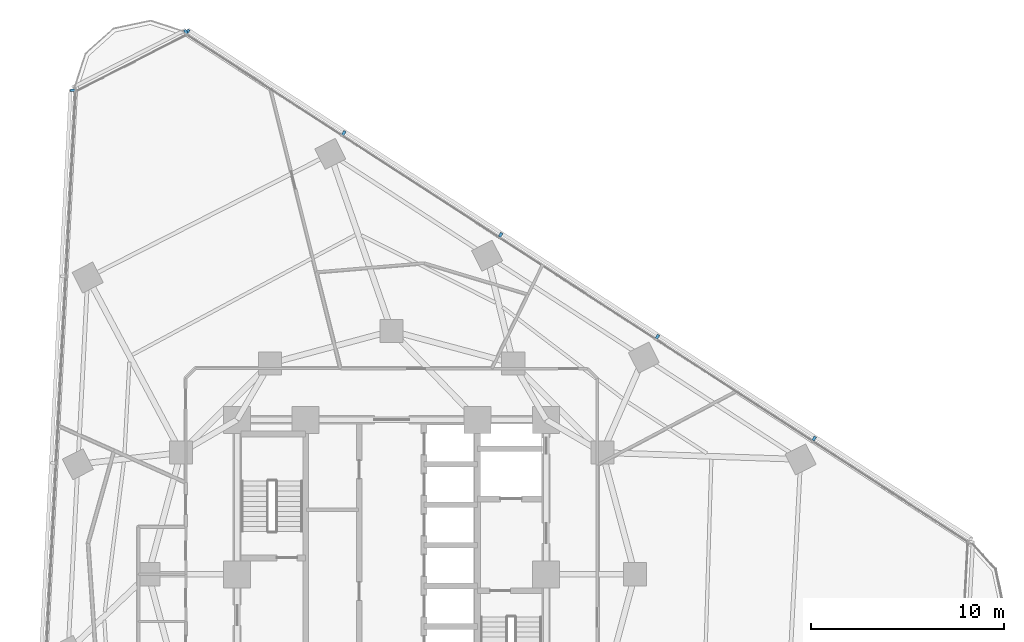
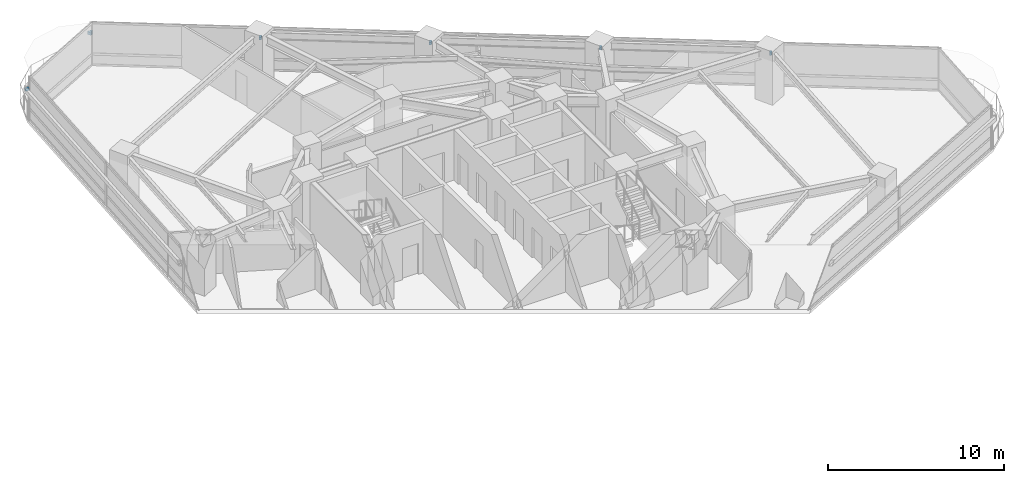
# One storey, part 11 of 14: 7 discrete accessories.
"""IFC4 building model written with IfcOpenShell, lengths in metres."""

import ifcopenshell
import ifcopenshell.guid

model = None  # the IFC model being written
_history = None  # IfcOwnerHistory: only IFC2X3 demands one
_inside = {}  # id of a spatial element -> (the spatial element, [elements in it])
_under = {}  # id of a project, library or spatial element -> (it, [spatial elements below it])
_declared = {}  # id of a project -> (the project, [libraries it declares])
_typed = {}  # id of a type object -> (the type object, [elements of that type])
_made_of = {}  # id of a material, layer set ... -> (it, [elements and type objects made of it])


def new_model(schema):
    """Start an empty IFC model of exactly this schema.

    Asked for "IFC4X3", IfcOpenShell would pick the latest addendum, in which some entities
    have other attributes; the version numbers below select the first issue.
    IFC2X3 requires an IfcOwnerHistory on every rooted entity: one is made here for all.
    """
    global model, _history
    if schema == "IFC4X3":
        model = ifcopenshell.file(schema_version=(4, 3, 0, 0))
    else:
        model = ifcopenshell.file(schema=schema)
    _inside.clear()
    _under.clear()
    _declared.clear()
    _typed.clear()
    _made_of.clear()
    _history = None
    if model.schema == "IFC2X3":
        org = make("IfcOrganization", Name="unknown")
        user = make(
            "IfcPersonAndOrganization",
            ThePerson=make("IfcPerson", FamilyName="unknown"),
            TheOrganization=org,
        )
        app = make(
            "IfcApplication",
            ApplicationDeveloper=org,
            Version="unknown",
            ApplicationFullName="unknown",
            ApplicationIdentifier="unknown",
        )
        _history = make(
            "IfcOwnerHistory",
            OwningUser=user,
            OwningApplication=app,
            ChangeAction="ADDED",
            CreationDate=0,
        )
    return model


def make(cls, **values):
    """One entity of the class cls with the attributes given. An attribute that is None is left unset."""
    return model.create_entity(
        cls, **{name: value for name, value in values.items() if value is not None}
    )


def rooted(cls, **values):
    """An entity with a GlobalId (a new one), such as an element, a storey or a relation."""
    return make(cls, GlobalId=ifcopenshell.guid.new(), OwnerHistory=_history, **values)


def si_unit(unit_type, name, prefix=None):
    """IfcSIUnit, for example si_unit("LENGTHUNIT", "METRE", prefix="MILLI")."""
    return make("IfcSIUnit", UnitType=unit_type, Prefix=prefix, Name=name)


def assignment(units):
    """IfcUnitAssignment: the units of a project."""
    return None if units is None else make("IfcUnitAssignment", Units=units)


def point(xyz):
    """IfcCartesianPoint."""
    return None if xyz is None else make("IfcCartesianPoint", Coordinates=xyz)


def direction(xyz):
    """IfcDirection."""
    return None if xyz is None else make("IfcDirection", DirectionRatios=xyz)


def frame(location, z_axis=None, x_axis=None):
    """IfcAxis2Placement3D, a coordinate frame: its origin and axes. An axis left out is left unset."""
    return make(
        "IfcAxis2Placement3D",
        Location=point(location),
        Axis=direction(z_axis),
        RefDirection=direction(x_axis),
    )


def frame_2d(location, x_axis=None):
    """IfcAxis2Placement2D, a coordinate frame in the plane: its origin and x axis."""
    return make(
        "IfcAxis2Placement2D", Location=point(location), RefDirection=direction(x_axis)
    )


def origin():
    """The frame at (0, 0, 0) with its axes left unset."""
    return frame((0.0, 0.0, 0.0))


def origin_2d():
    """The frame at (0, 0) in the plane with its x axis left unset."""
    return frame_2d((0.0, 0.0))


def place(relative_to, where):
    """IfcLocalPlacement: puts the frame where relative to a parent placement (None: the world)."""
    return make(
        "IfcLocalPlacement", PlacementRelTo=relative_to, RelativePlacement=where
    )


def context(
    kind, dimensions, precision=None, world=None, true_north=None, identifier=None
):
    """IfcGeometricRepresentationContext, for example the 3D "Model" context."""
    return make(
        "IfcGeometricRepresentationContext",
        ContextIdentifier=identifier,
        ContextType=kind,
        CoordinateSpaceDimension=dimensions,
        Precision=precision,
        WorldCoordinateSystem=world,
        TrueNorth=true_north,
    )


def subcontext(parent, identifier, kind, view, scale=None):
    """IfcGeometricRepresentationSubContext, for example "Body" below "Model"."""
    return make(
        "IfcGeometricRepresentationSubContext",
        ContextIdentifier=identifier,
        ContextType=kind,
        ParentContext=parent,
        TargetScale=scale,
        TargetView=view,
    )


def project(units=None, contexts=None):
    """IfcProject with its units and contexts."""
    return rooted(
        "IfcProject",
        Name="project",
        RepresentationContexts=contexts,
        UnitsInContext=assignment(units),
    )


def spatial(cls, under=None, at=None, **own):
    """A site, building, storey or space (cls), placed at a placement, below another one or the project."""
    s = rooted(cls, ObjectPlacement=at, **own)
    if under is not None:
        _under.setdefault(under.id(), (under, []))[1].append(s)
    return s


def profile(cls, at=None, kind="AREA", **sizes):
    """A parametric profile (cls). Its sizes go by their IFC names, for example OverallWidth=200.0."""
    return make(cls, ProfileType=kind, Position=at, **sizes)


def rectangle(**sizes):
    """IfcRectangleProfileDef."""
    return profile("IfcRectangleProfileDef", **sizes)


def extrude(swept, where, along, depth):
    """IfcExtrudedAreaSolid: the profile swept, set in the frame where, extruded along a direction by depth."""
    return make(
        "IfcExtrudedAreaSolid",
        SweptArea=swept,
        Position=where,
        ExtrudedDirection=direction(along),
        Depth=depth,
    )


def shape(context_of_items, identifier, shape_type, items):
    """IfcShapeRepresentation: the items that make up one representation, for example the "Body"."""
    return make(
        "IfcShapeRepresentation",
        ContextOfItems=context_of_items,
        RepresentationIdentifier=identifier,
        RepresentationType=shape_type,
        Items=items,
    )


def material(Name=None, Category=None):
    """IfcMaterial."""
    return make("IfcMaterial", Name=Name, Category=Category)


def made_of(thing, what):
    """Note that an element or type object is made of a material, layer set ...; save() writes the relation."""
    if what is not None:
        _made_of.setdefault(what.id(), (what, []))[1].append(thing)
    return thing


def type_object(cls, material=None, **own):
    """A type object (cls), such as IfcWallType, which elements share."""
    return made_of(rooted(cls, **own), material)


def element(
    cls,
    number,
    at=None,
    inside=None,
    cuts=None,
    type_object=None,
    material=None,
    context=None,
    identifier="Body",
    shape_type=None,
    held_by="IfcProductDefinitionShape",
    body=None,
    shapes=None,
    **own,
):
    """One element of the class cls, such as IfcWall. Its Tag is "e" and its number.

    at: its placement. inside: the storey or other place that contains it. cuts: it is an
    opening in that element (IfcRelVoidsElement). A single representation is given by context,
    identifier, shape_type and body (its items); several are given by shapes. held_by: the class
    of the entity that holds the representations. save() writes the other relations.
    """
    e = rooted(cls, Tag="e%d" % number, ObjectPlacement=at, **own)
    if body is not None:
        shapes = [shape(context, identifier, shape_type, body)]
    if shapes is not None:
        e.Representation = make(held_by, Representations=shapes)
    if inside is not None:
        _inside.setdefault(inside.id(), (inside, []))[1].append(e)
    if cuts is not None:
        rooted(
            "IfcRelVoidsElement", RelatingBuildingElement=cuts, RelatedOpeningElement=e
        )
    if type_object is not None:
        _typed.setdefault(type_object.id(), (type_object, []))[1].append(e)
    return made_of(e, material)


def aggregate(whole, parts):
    """IfcRelAggregates: a whole, such as a stair, and the parts it consists of."""
    return rooted("IfcRelAggregates", RelatingObject=whole, RelatedObjects=parts)


def save(model, path):
    """Write the relations noted so far, then the file.

    IfcRelAggregates (storeys below a building ...), IfcRelContainedInSpatialStructure (elements
    in a storey), IfcRelDefinesByType, IfcRelAssociatesMaterial and IfcRelDeclares: one each for
    every whole, place, type object, material and project.
    """
    for whole, parts in _under.values():
        aggregate(whole, parts)
    for where, things in _inside.values():
        rooted(
            "IfcRelContainedInSpatialStructure",
            RelatedElements=things,
            RelatingStructure=where,
        )
    for kind, things in _typed.values():
        rooted("IfcRelDefinesByType", RelatedObjects=things, RelatingType=kind)
    for what, things in _made_of.values():
        rooted("IfcRelAssociatesMaterial", RelatedObjects=things, RelatingMaterial=what)
    for by, libraries in _declared.values():
        rooted("IfcRelDeclares", RelatingContext=by, RelatedDefinitions=libraries)
    model.write(path)


model = new_model("IFC4")

# Units and contexts
model_context = context("Model", 3, precision=1e-05, world=origin(), true_north=direction((0.0, 1.0)))
body_context = subcontext(model_context, "Body", "Model", "MODEL_VIEW")
ifc_project = project(units=[si_unit("LENGTHUNIT", "METRE"), si_unit("AREAUNIT", "SQUARE_METRE"), si_unit("VOLUMEUNIT", "CUBIC_METRE"), si_unit("PLANEANGLEUNIT", "RADIAN"), si_unit("MASSUNIT", "GRAM", prefix="KILO")], contexts=[model_context])

# Site, building, storey
site_placement = place(None, origin())
site = spatial("IfcSite", under=ifc_project, at=site_placement, CompositionType="ELEMENT")
building_placement = place(site_placement, origin())
building = spatial("IfcBuilding", under=site, at=building_placement, Name="Terralouvre Media Tower", CompositionType="ELEMENT")
storey_placement = place(building_placement, frame((0.0, 0.0, 134.699951171875)))
storey = spatial("IfcBuildingStorey", under=building, at=storey_placement, Name="L34", CompositionType="ELEMENT", Elevation=134.699951171875)

# Discrete accessories
ifc_material = material(Name="Anodised extruded aluminium 6063-T6", Category="aluminium")
discrete_accessory_type = type_object("IfcDiscreteAccessoryType", Name="Mullion Stand-Off Baguette Fixing Bracket BK-01", PredefinedType="BRACKET", material=ifc_material)
for number, where, z_axis, x_axis, name in (
    (1, (21.87841796875, 7.030029296875, 2.07421875), (0.0, 0.0, 1.0), (-0.838670588944, 0.544639002681, 0.0), "CW-L34-F1 Baguette Outrigger Bracket 1.02"),
    (2, (13.76025390625, 12.30224609375, 2.07421875), (0.0, 0.0, 1.0), (-0.838670588944, 0.544639002681, 0.0), "CW-L34-F1 Baguette Outrigger Bracket 1.03"),
    (3, (5.641845703125, 17.574462890625, 2.07421875), (0.0, 0.0, 1.0), (-0.838670588944, 0.544639002681, 0.0), "CW-L34-F1 Baguette Outrigger Bracket 1.04"),
    (4, (-2.4765625, 22.846435546875, 2.07421875), (0.0, 0.0, 1.0), (-0.838670588944, 0.544639002681, 0.0), "CW-L34-F1 Baguette Outrigger Bracket 1.05"),
    (5, (-10.563232421875, 28.09814453125, 2.07421875), (0.0, 0.0, 1.0), (-0.838670588944, 0.544639002681, 0.0), "CW-L34-F1 Baguette Outrigger Bracket 1.06"),
    (6, (-16.52294921875, 25.0615234375, 2.07421875), (0.0, 0.0, 1.0), (-0.052335949864, -0.998629535089, 0.0), "CW-L34-F2 Baguette Outrigger Bracket 1.01"),
    (7, (-10.6591796875, 28.085693359375, 2.07421875), (0.0, 0.0, 1.0), (-0.891006600184, -0.45399035059, 0.0), "CW-L34-C2 Baguette Outrigger Bracket 1.01"),
):
    element("IfcDiscreteAccessory", number, at=place(storey_placement, frame(where, z_axis=z_axis, x_axis=x_axis)), inside=storey, type_object=discrete_accessory_type, Name=name, PredefinedType="BRACKET", context=body_context, shape_type="SweptSolid", body=[
        extrude(rectangle(XDim=0.139892578125, YDim=0.239990234375, at=origin_2d()), origin(), (0.0, 0.0, 1.0), 0.179931640625),
    ])

save(model, "model.ifc")
